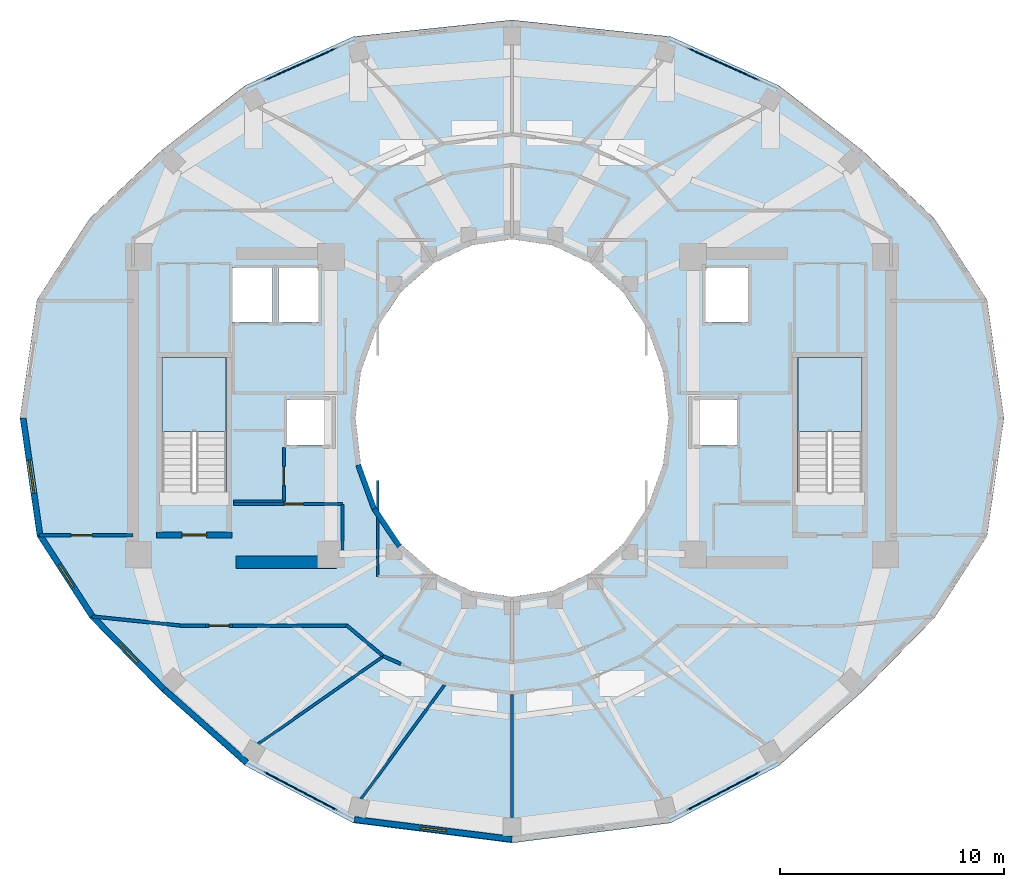
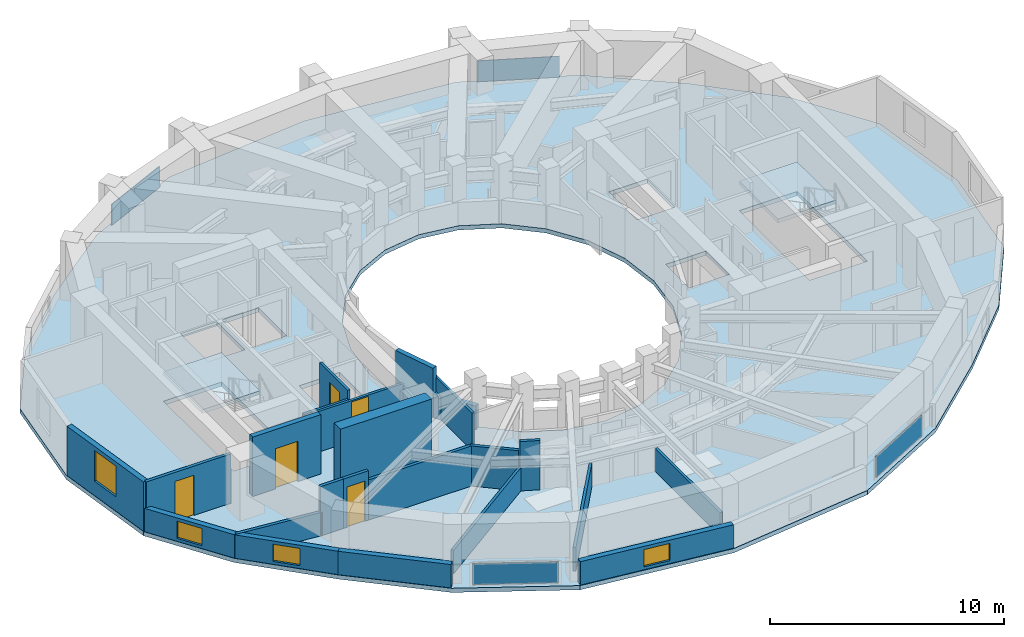
# One storey, part 10 of 17: 24 walls, 5 doors, 4 plates, 4 windows, 3 slabs, 9 openings, 6 elements without a shape of their own.
"""IFC4 building model written with IfcOpenShell, lengths in metres."""

from ifc_helpers import new_model, si_unit, direction, frame, frame_2d, origin, origin_2d, place, context, subcontext, project, spatial, polyline, rectangle, outline, extrude, material, layer, layer_set, type_object, element, fill, aggregate, save


model = new_model("IFC4")

# Units and contexts
model_context = context("Model", 3, precision=1e-05, world=origin(), true_north=direction((0.0, 1.0)))
body_context = subcontext(model_context, "Body", "Model", "MODEL_VIEW")
ifc_project = project(units=[si_unit("LENGTHUNIT", "METRE"), si_unit("AREAUNIT", "SQUARE_METRE"), si_unit("VOLUMEUNIT", "CUBIC_METRE"), si_unit("PLANEANGLEUNIT", "RADIAN"), si_unit("MASSUNIT", "GRAM", prefix="KILO")], contexts=[model_context])

# Site, building, storey
site_placement = place(None, origin())
site = spatial("IfcSite", under=ifc_project, at=site_placement, CompositionType="ELEMENT")
building_placement = place(site_placement, origin())
building = spatial("IfcBuilding", under=site, at=building_placement, Name="Solvane Sanctuary Tower", CompositionType="ELEMENT")
storey_placement = place(building_placement, frame((0.0, 0.0, 235.699951171875)))
storey = spatial("IfcBuildingStorey", under=building, at=storey_placement, Name="L72", CompositionType="ELEMENT", Elevation=235.699951171875)

# Curtain wall, plate
ifc_material_1 = material(Name="Anodised Aluminium 6063-T6", Category="aluminium")
ifc_layer_1 = layer(ifc_material_1, 0.18994140625, Name="Anodised Aluminium 6063-T6")
ifc_layer_set_1 = layer_set([ifc_layer_1], Name="Anodised Aluminium 6063-T6")
curtain_wall_type = type_object("IfcCurtainWallType", Name="Curtain Wall CW-OPER", PredefinedType="NOTDEFINED", material=ifc_layer_set_1)
curtain_wall_1_placement = place(storey_placement, origin())
curtain_wall_1 = element("IfcCurtainWall", 1, at=curtain_wall_1_placement, inside=storey, type_object=curtain_wall_type, Name="L72 CW-OPER Facade Run 04", PredefinedType="NOTDEFINED")
ifc_material_2 = material(Name="Dark Ceramic-Fritted Low-E Glass", Category="glass")
ifc_layer_2 = layer(ifc_material_2, 0.0419921875, Name="Dark Ceramic-Fritted Low-E Glass")
ifc_layer_set_2 = layer_set([ifc_layer_2], Name="Dark Ceramic-Fritted Low-E Glass")
plate_type = type_object("IfcPlateType", Name="Plate PN-OPER-VENT", PredefinedType="CURTAIN_PANEL", material=ifc_layer_set_2)
plate_1_placement = place(storey_placement, frame((41.45654296875, 38.822265625, 0.06494140625), z_axis=(0.0, 0.0, 1.0), x_axis=(-0.911422883385, 0.411470931711, 0.0)))
plate_1 = element("IfcPlate", 2, at=plate_1_placement, type_object=plate_type, Name="CW-OPER panel 1.1", PredefinedType="CURTAIN_PANEL", context=body_context, shape_type="SweptSolid", body=[
    extrude(rectangle(XDim=3.506103515625, YDim=0.0419921875, at=origin_2d()), origin(), (0.0, 0.0, 1.0), 1.090087890625),
])
aggregate(curtain_wall_1, [plate_1])

curtain_wall_2_placement = place(storey_placement, origin())
curtain_wall_2 = element("IfcCurtainWall", 3, at=curtain_wall_2_placement, inside=storey, type_object=curtain_wall_type, Name="L72 CW-OPER Facade Run 07", PredefinedType="NOTDEFINED")
plate_2_placement = place(storey_placement, frame((22.54345703125, 38.822265625, 0.06494140625), z_axis=(0.0, 0.0, 1.0), x_axis=(-0.911422883385, -0.411470931711, 0.0)))
plate_2 = element("IfcPlate", 4, at=plate_2_placement, type_object=plate_type, Name="CW-OPER panel 1.1", PredefinedType="CURTAIN_PANEL", context=body_context, shape_type="SweptSolid", body=[
    extrude(rectangle(XDim=3.506103515625, YDim=0.0419921875, at=origin_2d()), origin(), (0.0, 0.0, 1.0), 1.090087890625),
])
aggregate(curtain_wall_2, [plate_2])

curtain_wall_3_placement = place(storey_placement, origin())
curtain_wall_3 = element("IfcCurtainWall", 5, at=curtain_wall_3_placement, inside=storey, type_object=curtain_wall_type, Name="L72 CW-OPER Facade Run 16", PredefinedType="NOTDEFINED")
plate_3_placement = place(storey_placement, frame((22.54345703125, 6.324462890625, 0.06494140625), z_axis=(0.0, 0.0, 1.0), x_axis=(0.883980752049, -0.467523293544, 0.0)))
plate_3 = element("IfcPlate", 6, at=plate_3_placement, type_object=plate_type, Name="CW-OPER panel 1.1", PredefinedType="CURTAIN_PANEL", context=body_context, shape_type="SweptSolid", body=[
    extrude(rectangle(XDim=3.670654296875, YDim=0.0419921875, at=origin_2d()), origin(), (0.0, 0.0, 1.0), 1.090087890625),
])
aggregate(curtain_wall_3, [plate_3])

curtain_wall_4_placement = place(storey_placement, origin())
curtain_wall_4 = element("IfcCurtainWall", 7, at=curtain_wall_4_placement, inside=storey, type_object=curtain_wall_type, Name="L72 CW-OPER Facade Run 19", PredefinedType="NOTDEFINED")
plate_4_placement = place(storey_placement, frame((41.45654296875, 6.324462890625, 0.06494140625), z_axis=(0.0, 0.0, 1.0), x_axis=(0.883980752049, 0.467523293544, 0.0)))
plate_4 = element("IfcPlate", 8, at=plate_4_placement, type_object=plate_type, Name="CW-OPER panel 1.1", PredefinedType="CURTAIN_PANEL", context=body_context, shape_type="SweptSolid", body=[
    extrude(rectangle(XDim=3.670654296875, YDim=0.0419921875, at=origin_2d()), origin(), (0.0, 0.0, 1.0), 1.090087890625),
])
aggregate(curtain_wall_4, [plate_4])

# Stair, slab
ifc_material_3 = material(Name="Concrete C45/55", Category="concrete")
stair_type = type_object("IfcStairType", Name="Stair ST-TOW", PredefinedType="HALF_TURN_STAIR", material=ifc_material_3)
stair_1_placement = place(storey_placement, origin())
stair_1 = element("IfcStair", 9, at=stair_1_placement, inside=storey, type_object=stair_type, Name="L72 Exit Stair ST-1 West Core", PredefinedType="HALF_TURN_STAIR")
ifc_layer_3 = layer(ifc_material_3, 0.199951171875, Name="Concrete C45/55")
ifc_layer_set_3 = layer_set([ifc_layer_3], Name="Concrete C45/55")
slab_type_1 = type_object("IfcSlabType", Name="Slab SL-LAND-180", PredefinedType="LANDING", material=ifc_layer_set_3)
slab_1_placement = place(storey_placement, frame((0.0, 0.0, 1.35009765625)))
slab_1 = element("IfcSlab", 10, at=slab_1_placement, type_object=slab_type_1, Name="ST-1 landing 1", PredefinedType="LANDING", context=body_context, shape_type="SweptSolid", body=[
    extrude(outline(polyline([(19.219970703125, 22.39990234375), (19.219970703125, 25.699951171875), (16.360107421875, 25.699951171875), (16.360107421875, 22.39990234375), (19.219970703125, 22.39990234375)])), origin(), (0.0, 0.0, 1.0), 0.199951171875),
])
aggregate(stair_1, [slab_1])

stair_2_placement = place(storey_placement, origin())
stair_2 = element("IfcStair", 11, at=stair_2_placement, inside=storey, type_object=stair_type, Name="L72 Exit Stair ST-2 East Core", PredefinedType="HALF_TURN_STAIR")
slab_2_placement = place(storey_placement, frame((0.0, 0.0, 1.35009765625)))
slab_2 = element("IfcSlab", 12, at=slab_2_placement, type_object=slab_type_1, Name="ST-2 landing 1", PredefinedType="LANDING", context=body_context, shape_type="SweptSolid", body=[
    extrude(outline(polyline([(47.639892578125, 22.39990234375), (47.639892578125, 25.699951171875), (44.780029296875, 25.699951171875), (44.780029296875, 22.39990234375), (47.639892578125, 22.39990234375)])), origin(), (0.0, 0.0, 1.0), 0.199951171875),
])
aggregate(stair_2, [slab_2])

# Slab
ifc_layer_4 = layer(ifc_material_3, 0.219970703125, Name="Concrete C45/55")
ifc_layer_set_4 = layer_set([ifc_layer_4], Name="Concrete C45/55")
slab_type_2 = type_object("IfcSlabType", Name="Slab SL-TOW-220", PredefinedType="FLOOR", material=ifc_layer_set_4)
slab_3_placement = place(storey_placement, frame((0.0, 0.0, -0.219970703125)))
element("IfcSlab", 13, at=slab_3_placement, inside=storey, type_object=slab_type_2, Name="L72 Primary Structural Slab", PredefinedType="FLOOR", context=body_context, shape_type="SweptSolid", body=[
    extrude(outline(polyline([(54.0, 23.0), (53.239990234375, 28.283935546875), (50.881103515625, 31.925537109375), (47.6572265625, 34.97412109375), (43.946044921875, 37.859375), (39.088134765625, 40.057373046875), (32.0, 40.800048828125), (24.911865234375, 40.057373046875), (20.053955078125, 37.859375), (16.3427734375, 34.97412109375), (13.118896484375, 31.925537109375), (10.760009765625, 28.283935546875), (10.0, 23.0), (10.760009765625, 17.716064453125), (13.118896484375, 14.056884765625), (16.3427734375, 10.7666015625), (20.053955078125, 7.46826171875), (24.911865234375, 4.8935546875), (32.0, 4.0), (39.088134765625, 4.8935546875), (43.946044921875, 7.46826171875), (47.6572265625, 10.7666015625), (50.881103515625, 14.056884765625), (53.239990234375, 17.716064453125), (54.0, 23.0)]), holes=[polyline([(38.761474609375, 20.929443359375), (38.062255859375, 19.0), (36.94970703125, 17.343017578125), (35.5, 16.07177734375), (33.811767578125, 15.272705078125), (32.0, 15.0), (30.188232421875, 15.272705078125), (28.5, 16.07177734375), (27.05029296875, 17.343017578125), (25.937744140625, 19.0), (25.238525390625, 20.929443359375), (25.0, 23.0), (25.238525390625, 25.070556640625), (25.937744140625, 27.0), (27.05029296875, 28.656982421875), (28.5, 29.92822265625), (30.188232421875, 30.727294921875), (32.0, 31.0), (33.811767578125, 30.727294921875), (35.5, 29.92822265625), (36.94970703125, 28.656982421875), (38.062255859375, 27.0), (38.761474609375, 25.070556640625), (39.0, 23.0), (38.761474609375, 20.929443359375)]), polyline([(16.360107421875, 19.699951171875), (16.360107421875, 25.699951171875), (19.219970703125, 25.699951171875), (19.219970703125, 19.699951171875), (16.360107421875, 19.699951171875)]), polyline([(44.780029296875, 19.699951171875), (44.780029296875, 25.699951171875), (47.639892578125, 25.699951171875), (47.639892578125, 19.699951171875), (44.780029296875, 19.699951171875)]), polyline([(21.949951171875, 23.800048828125), (23.949951171875, 23.800048828125), (23.949951171875, 21.800048828125), (21.949951171875, 21.800048828125), (21.949951171875, 23.800048828125)]), polyline([(40.050048828125, 23.800048828125), (42.050048828125, 23.800048828125), (42.050048828125, 21.800048828125), (40.050048828125, 21.800048828125), (40.050048828125, 23.800048828125)]), polyline([(19.5, 29.699951171875), (21.300048828125, 29.699951171875), (21.300048828125, 27.300048828125), (19.5, 27.300048828125), (19.5, 29.699951171875)]), polyline([(21.550048828125, 29.699951171875), (23.35009765625, 29.699951171875), (23.35009765625, 27.300048828125), (21.550048828125, 27.300048828125), (21.550048828125, 29.699951171875)]), polyline([(40.64990234375, 29.699951171875), (42.550048828125, 29.699951171875), (42.550048828125, 27.300048828125), (40.64990234375, 27.300048828125), (40.64990234375, 29.699951171875)])]), origin(), (0.0, 0.0, 1.0), 0.219970703125),
])

# Wall
ifc_material_4 = material(Name="Concrete C50/60", Category="concrete")
ifc_layer_5 = layer(ifc_material_4, 0.550048828125, Name="Concrete C50/60")
ifc_layer_set_5 = layer_set([ifc_layer_5], Name="Concrete C50/60")
wall_type_1 = type_object("IfcWallType", Name="Wall W-CORE-550", PredefinedType="SHEAR", material=ifc_layer_set_5)
wall_1_placement = place(storey_placement, frame((19.64990234375, 16.550048828125, 0.0), z_axis=(0.0, 0.0, 1.0), x_axis=(1.0, 0.0, 0.0)))
element("IfcWall", 14, at=wall_1_placement, inside=storey, type_object=wall_type_1, Name="L72 Core Shear Wall WC-S", PredefinedType="SHEAR", context=body_context, shape_type="SweptSolid", body=[
    extrude(rectangle(XDim=4.5, YDim=0.550048828125, at=frame_2d((2.25, 0.0))), origin(), (0.0, 0.0, 1.0), 3.10009765625),
])

# Wall, opening, door
ifc_material_5 = material(Name="Acoustic Gypsum Partition Board")
ifc_layer_6 = layer(ifc_material_5, 0.14990234375, Name="Acoustic Gypsum Partition Board")
ifc_layer_set_6 = layer_set([ifc_layer_6], Name="Acoustic Gypsum Partition Board")
wall_type_2 = type_object("IfcWallType", Name="Wall W-CORR-150", PredefinedType="PARTITIONING", material=ifc_layer_set_6)
wall_2_placement = place(storey_placement, frame((10.87548828125, 17.754638671875, 0.0), z_axis=(0.0, 0.0, 1.0), x_axis=(1.0, 0.0, 0.0)))
wall_2 = element("IfcWall", 15, at=wall_2_placement, inside=storey, type_object=wall_type_2, Name="L72 West Shoulder South Wall", PredefinedType="PARTITIONING", context=body_context, shape_type="SweptSolid", body=[
    extrude(rectangle(XDim=4.174560546875, YDim=0.14990234375, at=frame_2d((2.08740234375, 0.0))), origin(), (0.0, 0.0, 1.0), 2.574951171875),
])
opening_1_placement = place(wall_2_placement, frame((1.407470703125, 0.0, 0.0)))
opening_1 = element("IfcOpeningElement", 16, at=opening_1_placement, cuts=wall_2, Name="Opening D-L72-18", PredefinedType="OPENING", context=body_context, shape_type="SweptSolid", body=[
    extrude(rectangle(XDim=0.949951171875, YDim=2.10009765625, at=frame_2d((0.47509765625, 1.050048828125))), frame((0.0, 0.0849609375, 0.0), z_axis=(0.0, -1.0, 0.0), x_axis=(1.0, 0.0, 0.0)), (0.0, 0.0, 1.0), 0.169921875),
])
ifc_material_6 = material(Name="Engineered Tropical Hardwood", Category="wood")
door_type_1 = type_object("IfcDoorType", Name="Door D-ROOM-950", OperationType="NOTDEFINED", PredefinedType="DOOR", material=ifc_material_6)
door_1_placement = place(opening_1_placement, origin())
door_1 = element("IfcDoor", 17, at=door_1_placement, inside=storey, type_object=door_type_1, Name="L72 West Shoulder South Door", OperationType="SINGLE_SWING_RIGHT", OverallHeight=2.10009765625, OverallWidth=0.949951171875, PredefinedType="DOOR", context=body_context, shape_type="SweptSolid", body=[
    extrude(rectangle(XDim=0.949951171875, YDim=2.10009765625, at=frame_2d((0.47509765625, 1.050048828125))), frame((0.0, 0.02490234375, 0.0), z_axis=(0.0, -1.0, 0.0), x_axis=(1.0, 0.0, 0.0)), (0.0, 0.0, 1.0), 0.050048828125),
])
fill(opening_1, door_1)

# Walls
wall_3_placement = place(storey_placement, frame((26.208984375, 12.385009765625, 0.0), z_axis=(0.0, 0.0, 1.0), x_axis=(-0.765677451641, 0.643224719711, 0.0)))
element("IfcWall", 18, at=wall_3_placement, inside=storey, type_object=wall_type_2, Name="L72 SW Corner Throat Wall", PredefinedType="PARTITIONING", context=body_context, shape_type="SweptSolid", body=[
    extrude(rectangle(XDim=2.10546875, YDim=0.14990234375, at=frame_2d((1.052734375, 0.0))), origin(), (0.0, 0.0, 1.0), 2.095947265625),
])
wall_4_placement = place(storey_placement, frame((17.14990234375, 13.719970703125, 0.0), z_axis=(0.0, 0.0, 1.0), x_axis=(1.0, 0.0, 0.0)))
element("IfcWall", 19, at=wall_4_placement, inside=storey, type_object=wall_type_2, Name="L72 SW Corner Corridor Wall", PredefinedType="PARTITIONING", context=body_context, shape_type="SweptSolid", body=[
    extrude(rectangle(XDim=1.14013671875, YDim=0.14990234375, at=frame_2d((0.570068359375, 0.0))), origin(), (0.0, 0.0, 1.0), 2.574951171875),
])

# Wall, opening, door
wall_5_placement = place(storey_placement, frame((18.2900390625, 13.719970703125, 0.0), z_axis=(0.0, 0.0, 1.0), x_axis=(1.0, 0.0, 0.0)))
wall_5 = element("IfcWall", 20, at=wall_5_placement, inside=storey, type_object=wall_type_2, Name="L72 SW Corner Corridor Wall", PredefinedType="PARTITIONING", context=body_context, shape_type="SweptSolid", body=[
    extrude(rectangle(XDim=1.219970703125, YDim=0.14990234375, at=frame_2d((0.60986328125, 0.0))), origin(), (0.0, 0.0, 1.0), 2.574951171875),
])
opening_2_placement = place(wall_5_placement, frame((0.159912109375, 0.0, 0.0)))
opening_2 = element("IfcOpeningElement", 21, at=opening_2_placement, cuts=wall_5, Name="Opening D-L72-21", PredefinedType="OPENING", context=body_context, shape_type="SweptSolid", body=[
    extrude(rectangle(XDim=0.89990234375, YDim=2.10009765625, at=frame_2d((0.449951171875, 1.050048828125))), frame((0.0, 0.0849609375, 0.0), z_axis=(0.0, -1.0, 0.0), x_axis=(1.0, 0.0, 0.0)), (0.0, 0.0, 1.0), 0.169921875),
])
door_type_2 = type_object("IfcDoorType", Name="Door D-WET-900", OperationType="NOTDEFINED", PredefinedType="DOOR", material=ifc_material_6)
door_2_placement = place(opening_2_placement, origin())
door_2 = element("IfcDoor", 22, at=door_2_placement, inside=storey, type_object=door_type_2, Name="L72 SW Corner Salon Door", OperationType="SINGLE_SWING_LEFT", OverallHeight=2.10009765625, OverallWidth=0.89990234375, PredefinedType="DOOR", context=body_context, shape_type="SweptSolid", body=[
    extrude(rectangle(XDim=0.89990234375, YDim=2.10009765625, at=frame_2d((0.449951171875, 1.050048828125))), frame((0.0, 0.02490234375, 0.0), z_axis=(0.0, -1.0, 0.0), x_axis=(1.0, 0.0, 0.0)), (0.0, 0.0, 1.0), 0.050048828125),
])
fill(opening_2, door_2)

# Walls
wall_6_placement = place(storey_placement, frame((19.510009765625, 13.719970703125, 0.0), z_axis=(0.0, 0.0, 1.0), x_axis=(1.0, 0.0, 0.0)))
element("IfcWall", 23, at=wall_6_placement, inside=storey, type_object=wall_type_2, Name="L72 SW Corner Corridor Wall", PredefinedType="PARTITIONING", context=body_context, shape_type="SweptSolid", body=[
    extrude(rectangle(XDim=5.159912109375, YDim=0.14990234375, at=frame_2d((2.580078125, 0.0))), origin(), (0.0, 0.0, 1.0), 2.095947265625),
])
wall_7_placement = place(storey_placement, frame((17.249755859375, 13.71484375, 0.0), z_axis=(0.0, 0.0, 1.0), x_axis=(-0.994734711466, 0.102483431859, 0.0)))
element("IfcWall", 24, at=wall_7_placement, inside=storey, type_object=wall_type_2, Name="L72 SW Corner Wing Wall", PredefinedType="PARTITIONING", context=body_context, shape_type="SweptSolid", body=[
    extrude(rectangle(XDim=4.04736328125, YDim=0.14990234375, at=frame_2d((2.023681640625, 0.0))), origin(), (0.0, 0.0, 1.0), 1.219970703125),
])
wall_8_placement = place(storey_placement, frame((26.243896484375, 12.35400390625, 0.0), z_axis=(0.0, 0.0, 1.0), x_axis=(0.914241833088, -0.405168940853, 0.0)))
element("IfcWall", 25, at=wall_8_placement, inside=storey, type_object=wall_type_2, Name="L72 Unit Corridor Wall S1", PredefinedType="PARTITIONING", context=body_context, shape_type="SweptSolid", body=[
    extrude(rectangle(XDim=0.86474609375, YDim=0.14990234375, at=frame_2d((0.432373046875, 0.0))), origin(), (0.0, 0.0, 1.0), 2.574951171875),
])

# Wall, opening, window
ifc_material_7 = material(Name="Precast concrete C40/50", Category="concrete")
ifc_layer_7 = layer(ifc_material_7, 0.260009765625, Name="Precast concrete C40/50")
ifc_layer_set_7 = layer_set([ifc_layer_7], Name="Precast concrete C40/50")
wall_type_3 = type_object("IfcWallType", Name="Wall W-EXT-250", PredefinedType="STANDARD", material=ifc_layer_set_7)
wall_9_placement = place(storey_placement, frame((10.139892578125, 23.0, 0.0), z_axis=(0.0, 0.0, 1.0), x_axis=(0.142712754019, -0.989764148593, 0.0)))
wall_9 = element("IfcWall", 26, at=wall_9_placement, inside=storey, type_object=wall_type_3, Name="L72 Ceramic-Printed Facade Wall 12", PredefinedType="STANDARD", context=body_context, shape_type="SweptSolid", body=[
    extrude(rectangle(XDim=5.29296875, YDim=0.260009765625, at=frame_2d((2.646484375, 0.0))), origin(), (0.0, 0.0, 1.0), 2.570068359375),
])
opening_3_placement = place(wall_9_placement, frame((1.896484375, 0.0, 0.75)))
opening_3 = element("IfcOpeningElement", 27, at=opening_3_placement, cuts=wall_9, Name="Opening WN-OPER-1500", PredefinedType="OPENING", context=body_context, shape_type="SweptSolid", body=[
    extrude(rectangle(XDim=1.5, YDim=1.60009765625, at=frame_2d((0.75, 0.800048828125))), frame((0.0, 0.139892578125, 0.0), z_axis=(0.0, -1.0, 0.0), x_axis=(1.0, 0.0, 0.0)), (0.0, 0.0, 1.0), 0.280029296875),
])
window_type_1 = type_object("IfcWindowType", Name="Window WN-OPER-1500", PartitioningType="SINGLE_PANEL", PredefinedType="WINDOW", material=ifc_material_2)
window_1_placement = place(opening_3_placement, origin())
window_1 = element("IfcWindow", 28, at=window_1_placement, inside=storey, type_object=window_type_1, Name="L72 Operable Facade Window 12", OverallHeight=1.60009765625, OverallWidth=1.5, PartitioningType="SINGLE_PANEL", PredefinedType="WINDOW", context=body_context, shape_type="SweptSolid", body=[
    extrude(rectangle(XDim=1.5, YDim=1.60009765625, at=frame_2d((0.75, 0.800048828125))), frame((0.0, 0.030029296875, 0.0), z_axis=(0.0, -1.0, 0.0), x_axis=(1.0, 0.0, 0.0)), (0.0, 0.0, 1.0), 0.06005859375),
])
fill(opening_3, window_1)

wall_10_placement = place(storey_placement, frame((10.895263671875, 17.76123046875, 0.0), z_axis=(0.0, 0.0, 1.0), x_axis=(0.542641766008, -0.839964233634, 0.0)))
wall_10 = element("IfcWall", 29, at=wall_10_placement, inside=storey, type_object=wall_type_3, Name="L72 Ceramic-Printed Facade Wall 13", PredefinedType="STANDARD", context=body_context, shape_type="SweptSolid", body=[
    extrude(rectangle(XDim=4.319091796875, YDim=0.260009765625, at=frame_2d((2.15966796875, 0.0))), origin(), (0.0, 0.0, 1.0), 1.219970703125),
])
opening_4_placement = place(wall_10_placement, frame((1.5595703125, 0.0, 0.14990234375)))
opening_4 = element("IfcOpeningElement", 30, at=opening_4_placement, cuts=wall_10, Name="Opening WN-OPER-1200", PredefinedType="OPENING", context=body_context, shape_type="SweptSolid", body=[
    extrude(rectangle(XDim=1.199951171875, YDim=0.89990234375, at=frame_2d((0.60009765625, 0.449951171875))), frame((0.0, 0.139892578125, 0.0), z_axis=(0.0, -1.0, 0.0), x_axis=(1.0, 0.0, 0.0)), (0.0, 0.0, 1.0), 0.280029296875),
])
window_type_2 = type_object("IfcWindowType", Name="Window WN-OPER-1200", PartitioningType="SINGLE_PANEL", PredefinedType="WINDOW", material=ifc_material_2)
window_2_placement = place(opening_4_placement, origin())
window_2 = element("IfcWindow", 31, at=window_2_placement, inside=storey, type_object=window_type_2, Name="L72 Operable Facade Window 13", OverallHeight=0.89990234375, OverallWidth=1.199951171875, PartitioningType="SINGLE_PANEL", PredefinedType="WINDOW", context=body_context, shape_type="SweptSolid", body=[
    extrude(rectangle(XDim=1.199951171875, YDim=0.89990234375, at=frame_2d((0.60009765625, 0.449951171875))), frame((0.0, 0.030029296875, 0.0), z_axis=(0.0, -1.0, 0.0), x_axis=(1.0, 0.0, 0.0)), (0.0, 0.0, 1.0), 0.06005859375),
])
fill(opening_4, window_2)

wall_11_placement = place(storey_placement, frame((13.239013671875, 14.13330078125, 0.0), z_axis=(0.0, 0.0, 1.0), x_axis=(0.700642973333, -0.713512034881, 0.0)))
wall_11 = element("IfcWall", 32, at=wall_11_placement, inside=storey, type_object=wall_type_3, Name="L72 Ceramic-Printed Facade Wall 14", PredefinedType="STANDARD", context=body_context, shape_type="SweptSolid", body=[
    extrude(rectangle(XDim=4.572021484375, YDim=0.260009765625, at=frame_2d((2.2861328125, 0.0))), origin(), (0.0, 0.0, 1.0), 1.219970703125),
])
opening_5_placement = place(wall_11_placement, frame((1.68603515625, 0.0, 0.14990234375)))
opening_5 = element("IfcOpeningElement", 33, at=opening_5_placement, cuts=wall_11, Name="Opening WN-OPER-1200", PredefinedType="OPENING", context=body_context, shape_type="SweptSolid", body=[
    extrude(rectangle(XDim=1.199951171875, YDim=0.89990234375, at=frame_2d((0.60009765625, 0.449951171875))), frame((0.0, 0.139892578125, 0.0), z_axis=(0.0, -1.0, 0.0), x_axis=(1.0, 0.0, 0.0)), (0.0, 0.0, 1.0), 0.280029296875),
])
window_3_placement = place(opening_5_placement, origin())
window_3 = element("IfcWindow", 34, at=window_3_placement, inside=storey, type_object=window_type_2, Name="L72 Operable Facade Window 14", OverallHeight=0.89990234375, OverallWidth=1.199951171875, PartitioningType="SINGLE_PANEL", PredefinedType="WINDOW", context=body_context, shape_type="SweptSolid", body=[
    extrude(rectangle(XDim=1.199951171875, YDim=0.89990234375, at=frame_2d((0.60009765625, 0.449951171875))), frame((0.0, 0.030029296875, 0.0), z_axis=(0.0, -1.0, 0.0), x_axis=(1.0, 0.0, 0.0)), (0.0, 0.0, 1.0), 0.06005859375),
])
fill(opening_5, window_3)

# Wall
wall_12_placement = place(storey_placement, frame((16.4423828125, 10.87109375, 0.0), z_axis=(0.0, 0.0, 1.0), x_axis=(0.748165854006, -0.663511759428, 0.0)))
element("IfcWall", 35, at=wall_12_placement, inside=storey, type_object=wall_type_3, Name="L72 Ceramic-Printed Facade Wall 15", PredefinedType="STANDARD", context=body_context, shape_type="SweptSolid", body=[
    extrude(rectangle(XDim=4.9287109375, YDim=0.260009765625, at=frame_2d((2.46435546875, 0.0))), origin(), (0.0, 0.0, 1.0), 1.219970703125),
])

# Wall, opening, window
wall_13_placement = place(storey_placement, frame((24.95703125, 5.048095703125, 0.0), z_axis=(0.0, 0.0, 1.0), x_axis=(0.992180211307, -0.124813574142, 0.0)))
wall_13 = element("IfcWall", 36, at=wall_13_placement, inside=storey, type_object=wall_type_3, Name="L72 Ceramic-Printed Facade Wall 17", PredefinedType="STANDARD", context=body_context, shape_type="SweptSolid", body=[
    extrude(rectangle(XDim=7.098388671875, YDim=0.260009765625, at=frame_2d((3.54931640625, 0.0))), origin(), (0.0, 0.0, 1.0), 1.219970703125),
])
opening_6_placement = place(wall_13_placement, frame((2.94921875, 0.0, 0.14990234375)))
opening_6 = element("IfcOpeningElement", 37, at=opening_6_placement, cuts=wall_13, Name="Opening WN-OPER-1200", PredefinedType="OPENING", context=body_context, shape_type="SweptSolid", body=[
    extrude(rectangle(XDim=1.199951171875, YDim=0.89990234375, at=frame_2d((0.60009765625, 0.449951171875))), frame((0.0, 0.139892578125, 0.0), z_axis=(0.0, -1.0, 0.0), x_axis=(1.0, 0.0, 0.0)), (0.0, 0.0, 1.0), 0.280029296875),
])
window_4_placement = place(opening_6_placement, origin())
window_4 = element("IfcWindow", 38, at=window_4_placement, inside=storey, type_object=window_type_2, Name="L72 Operable Facade Window 17", OverallHeight=0.89990234375, OverallWidth=1.199951171875, PartitioningType="SINGLE_PANEL", PredefinedType="WINDOW", context=body_context, shape_type="SweptSolid", body=[
    extrude(rectangle(XDim=1.199951171875, YDim=0.89990234375, at=frame_2d((0.60009765625, 0.449951171875))), frame((0.0, 0.030029296875, 0.0), z_axis=(0.0, -1.0, 0.0), x_axis=(1.0, 0.0, 0.0)), (0.0, 0.0, 1.0), 0.06005859375),
])
fill(opening_6, window_4)

# Walls
ifc_layer_8 = layer(ifc_material_7, 0.22998046875, Name="Precast concrete C40/50")
ifc_layer_set_8 = layer_set([ifc_layer_8], Name="Precast concrete C40/50")
wall_type_4 = type_object("IfcWallType", Name="Wall W-EXT-SP220", PredefinedType="STANDARD", material=ifc_layer_set_8)
wall_14_placement = place(storey_placement, frame((25.12255859375, 20.8984375, 0.0), z_axis=(0.0, 0.0, 1.0), x_axis=(0.341423187295, -0.93990968033, 0.0)))
element("IfcWall", 39, at=wall_14_placement, inside=storey, type_object=wall_type_4, Name="L72 Central Light-Well Wall 13", PredefinedType="STANDARD", context=body_context, shape_type="SweptSolid", body=[
    extrude(rectangle(XDim=2.083740234375, YDim=0.22998046875, at=frame_2d((1.0419921875, 0.0))), origin(), (0.0, 0.0, 1.0), 2.56005859375),
])
wall_15_placement = place(storey_placement, frame((25.833984375, 18.93994140625, 0.0), z_axis=(0.0, 0.0, 1.0), x_axis=(0.558197800898, -0.829707909492, 0.0)))
element("IfcWall", 40, at=wall_15_placement, inside=storey, type_object=wall_type_4, Name="L72 Central Light-Well Wall 14", PredefinedType="STANDARD", context=body_context, shape_type="SweptSolid", body=[
    extrude(rectangle(XDim=2.02685546875, YDim=0.22998046875, at=frame_2d((1.013427734375, 0.0))), origin(), (0.0, 0.0, 1.0), 1.219970703125),
])

# Wall, opening, door
ifc_layer_9 = layer(ifc_material_5, 0.125, Name="Acoustic Gypsum Partition Board")
ifc_layer_set_9 = layer_set([ifc_layer_9], Name="Acoustic Gypsum Partition Board")
wall_type_5 = type_object("IfcWallType", Name="Wall W-PART-125", PredefinedType="PARTITIONING", material=ifc_layer_set_9)
wall_16_placement = place(storey_placement, frame((19.550048828125, 19.159912109375, 0.0), z_axis=(0.0, 0.0, 1.0), x_axis=(1.0, 0.0, 0.0)))
wall_16 = element("IfcWall", 41, at=wall_16_placement, inside=storey, type_object=wall_type_5, Name="L72 Reclaimed Room Partition PLW", PredefinedType="PARTITIONING", context=body_context, shape_type="SweptSolid", body=[
    extrude(rectangle(XDim=4.869873046875, YDim=0.125, at=frame_2d((2.43505859375, 0.0))), origin(), (0.0, 0.0, 1.0), 2.1201171875),
])
opening_7_placement = place(wall_16_placement, frame((2.271728515625, 0.0, 0.0)))
opening_7 = element("IfcOpeningElement", 42, at=opening_7_placement, cuts=wall_16, Name="Opening D-L72-05", PredefinedType="OPENING", context=body_context, shape_type="SweptSolid", body=[
    extrude(rectangle(XDim=0.85009765625, YDim=2.050048828125, at=frame_2d((0.425048828125, 1.02490234375))), frame((0.0, 0.072509765625, 0.0), z_axis=(0.0, -1.0, 0.0), x_axis=(1.0, 0.0, 0.0)), (0.0, 0.0, 1.0), 0.14501953125),
])
ifc_material_8 = material(Name="Architectural Stainless Steel 316", Category="steel")
door_type_3 = type_object("IfcDoorType", Name="Door D-RISER", OperationType="NOTDEFINED", PredefinedType="DOOR", material=ifc_material_8)
door_3_placement = place(opening_7_placement, origin())
door_3 = element("IfcDoor", 43, at=door_3_placement, inside=storey, type_object=door_type_3, Name="L72 Reclaimed Room Door PLW-1", OperationType="SINGLE_SWING_LEFT", OverallHeight=2.050048828125, OverallWidth=0.85009765625, PredefinedType="DOOR", context=body_context, shape_type="SweptSolid", body=[
    extrude(rectangle(XDim=0.85009765625, YDim=2.050048828125, at=frame_2d((0.425048828125, 1.02490234375))), frame((0.0, 0.02490234375, 0.0), z_axis=(0.0, -1.0, 0.0), x_axis=(1.0, 0.0, 0.0)), (0.0, 0.0, 1.0), 0.050048828125),
])
fill(opening_7, door_3)

# Wall
wall_17_placement = place(storey_placement, frame((24.419921875, 17.10009765625, 0.0), z_axis=(0.0, 0.0, 1.0), x_axis=(0.0, 1.0, 0.0)))
element("IfcWall", 44, at=wall_17_placement, inside=storey, type_object=wall_type_5, Name="L72 Reclaimed Room Closer Wall PLW-1", PredefinedType="PARTITIONING", context=body_context, shape_type="SweptSolid", body=[
    extrude(rectangle(XDim=2.039794921875, YDim=0.125, at=frame_2d((1.02001953125, 0.0))), origin(), (0.0, 0.0, 1.0), 1.9521484375),
])

# Wall, opening, door
wall_18_placement = place(storey_placement, frame((21.800048828125, 19.280029296875, 0.0), z_axis=(0.0, 0.0, 1.0), x_axis=(0.0, 1.0, 0.0)))
wall_18 = element("IfcWall", 45, at=wall_18_placement, inside=storey, type_object=wall_type_5, Name="L72 Reclaimed Room Partition PMW", PredefinedType="PARTITIONING", context=body_context, shape_type="SweptSolid", body=[
    extrude(rectangle(XDim=2.39990234375, YDim=0.125, at=frame_2d((1.199951171875, 0.0))), origin(), (0.0, 0.0, 1.0), 2.574951171875),
])
opening_8_placement = place(wall_18_placement, frame((0.699951171875, 0.0, 0.0)))
opening_8 = element("IfcOpeningElement", 46, at=opening_8_placement, cuts=wall_18, Name="Opening D-L72-07", PredefinedType="OPENING", context=body_context, shape_type="SweptSolid", body=[
    extrude(rectangle(XDim=0.85009765625, YDim=2.050048828125, at=frame_2d((0.425048828125, 1.02490234375))), frame((0.0, 0.072509765625, 0.0), z_axis=(0.0, -1.0, 0.0), x_axis=(1.0, 0.0, 0.0)), (0.0, 0.0, 1.0), 0.14501953125),
])
door_4_placement = place(opening_8_placement, origin())
door_4 = element("IfcDoor", 47, at=door_4_placement, inside=storey, type_object=door_type_3, Name="L72 Reclaimed Room Door PMW-1", OperationType="SINGLE_SWING_LEFT", OverallHeight=2.050048828125, OverallWidth=0.85009765625, PredefinedType="DOOR", context=body_context, shape_type="SweptSolid", body=[
    extrude(rectangle(XDim=0.85009765625, YDim=2.050048828125, at=frame_2d((0.425048828125, 1.02490234375))), frame((0.0, 0.02490234375, 0.0), z_axis=(0.0, -1.0, 0.0), x_axis=(1.0, 0.0, 0.0)), (0.0, 0.0, 1.0), 0.050048828125),
])
fill(opening_8, door_4)

# Walls
wall_19_placement = place(storey_placement, frame((19.550048828125, 19.280029296875, 0.0), z_axis=(0.0, 0.0, 1.0), x_axis=(1.0, 0.0, 0.0)))
element("IfcWall", 48, at=wall_19_placement, inside=storey, type_object=wall_type_5, Name="L72 Reclaimed Room Closer Wall PMW-1", PredefinedType="PARTITIONING", context=body_context, shape_type="SweptSolid", body=[
    extrude(rectangle(XDim=2.2099609375, YDim=0.125, at=frame_2d((1.10498046875, 0.0))), origin(), (0.0, 0.0, 1.0), 2.1201171875),
])
wall_20_placement = place(storey_placement, frame((26.0, 15.919921875, 0.0), z_axis=(0.0, 0.0, 1.0), x_axis=(0.0, 1.0, 0.0)))
element("IfcWall", 49, at=wall_20_placement, inside=storey, type_object=wall_type_5, Name="L72 Bridge Alcove Wall 5", PredefinedType="PARTITIONING", context=body_context, shape_type="SweptSolid", body=[
    extrude(rectangle(XDim=4.280029296875, YDim=0.125, at=frame_2d((2.14013671875, 0.0))), origin(), (0.0, 0.0, 1.0), 1.9521484375),
])
wall_21_placement = place(storey_placement, frame((26.2060546875, 12.318115234375, 0.0), z_axis=(0.0, 0.0, 1.0), x_axis=(-0.819017716307, -0.573768228796, 0.0)))
element("IfcWall", 50, at=wall_21_placement, inside=storey, type_object=wall_type_5, Name="L72 Radial Compartment Wall 240", PredefinedType="PARTITIONING", context=body_context, shape_type="SweptSolid", body=[
    extrude(rectangle(XDim=6.802001953125, YDim=0.125, at=frame_2d((3.40087890625, 0.0))), origin(), (0.0, 0.0, 1.0), 1.219970703125),
])
wall_22_placement = place(storey_placement, frame((28.99169921875, 11.07666015625, 0.0), z_axis=(0.0, 0.0, 1.0), x_axis=(-0.590771495169, -0.806838918555, 0.0)))
element("IfcWall", 51, at=wall_22_placement, inside=storey, type_object=wall_type_5, Name="L72 Radial Compartment Wall 255", PredefinedType="PARTITIONING", context=body_context, shape_type="SweptSolid", body=[
    extrude(rectangle(XDim=6.346923828125, YDim=0.125, at=frame_2d((3.17333984375, 0.0))), origin(), (0.0, 0.0, 1.0), 1.219970703125),
])
wall_23_placement = place(storey_placement, frame((32.0, 10.64697265625, 0.0), z_axis=(0.0, 0.0, 1.0), x_axis=(0.0, -1.0, 0.0)))
element("IfcWall", 52, at=wall_23_placement, inside=storey, type_object=wall_type_5, Name="L72 Radial Compartment Wall 270", PredefinedType="PARTITIONING", context=body_context, shape_type="SweptSolid", body=[
    extrude(rectangle(XDim=5.546875, YDim=0.125, at=frame_2d((2.7734375, 0.0))), origin(), (0.0, 0.0, 1.0), 1.219970703125),
])

# Wall, opening, door
ifc_layer_10 = layer(ifc_material_4, 0.25, Name="Concrete C50/60")
ifc_layer_set_10 = layer_set([ifc_layer_10], Name="Concrete C50/60")
wall_type_6 = type_object("IfcWallType", Name="Wall W-SHAFT-250", PredefinedType="SOLIDWALL", material=ifc_layer_set_10)
wall_24_placement = place(storey_placement, frame((16.10498046875, 17.77001953125, 0.0), z_axis=(0.0, 0.0, 1.0), x_axis=(1.0, 0.0, 0.0)))
wall_24 = element("IfcWall", 53, at=wall_24_placement, inside=storey, type_object=wall_type_6, Name="L72 ST-1 Load-Bearing Shaft Wall S", PredefinedType="SOLIDWALL", context=body_context, shape_type="SweptSolid", body=[
    extrude(rectangle(XDim=3.3701171875, YDim=0.25, at=frame_2d((1.68505859375, 0.0))), origin(), (0.0, 0.0, 1.0), 3.10009765625),
])
opening_9_placement = place(wall_24_placement, frame((1.135009765625, 0.0, 0.0)))
opening_9 = element("IfcOpeningElement", 54, at=opening_9_placement, cuts=wall_24, Name="Opening D-L72-01", PredefinedType="OPENING", context=body_context, shape_type="SweptSolid", body=[
    extrude(rectangle(XDim=1.10009765625, YDim=2.10009765625, at=frame_2d((0.550048828125, 1.050048828125))), frame((0.0, 0.135009765625, 0.0), z_axis=(0.0, -1.0, 0.0), x_axis=(1.0, 0.0, 0.0)), (0.0, 0.0, 1.0), 0.27001953125),
])
door_type_4 = type_object("IfcDoorType", Name="Door D-STAIR", OperationType="NOTDEFINED", PredefinedType="DOOR", material=ifc_material_8)
door_5_placement = place(opening_9_placement, origin())
door_5 = element("IfcDoor", 55, at=door_5_placement, inside=storey, type_object=door_type_4, Name="L72 ST-1 Exit Stair Fire Door", OperationType="SINGLE_SWING_LEFT", OverallHeight=2.10009765625, OverallWidth=1.10009765625, PredefinedType="DOOR", context=body_context, shape_type="SweptSolid", body=[
    extrude(rectangle(XDim=1.10009765625, YDim=2.10009765625, at=frame_2d((0.550048828125, 1.050048828125))), frame((0.0, 0.02490234375, 0.0), z_axis=(0.0, -1.0, 0.0), x_axis=(1.0, 0.0, 0.0)), (0.0, 0.0, 1.0), 0.050048828125),
])
fill(opening_9, door_5)

save(model, "model.ifc")
